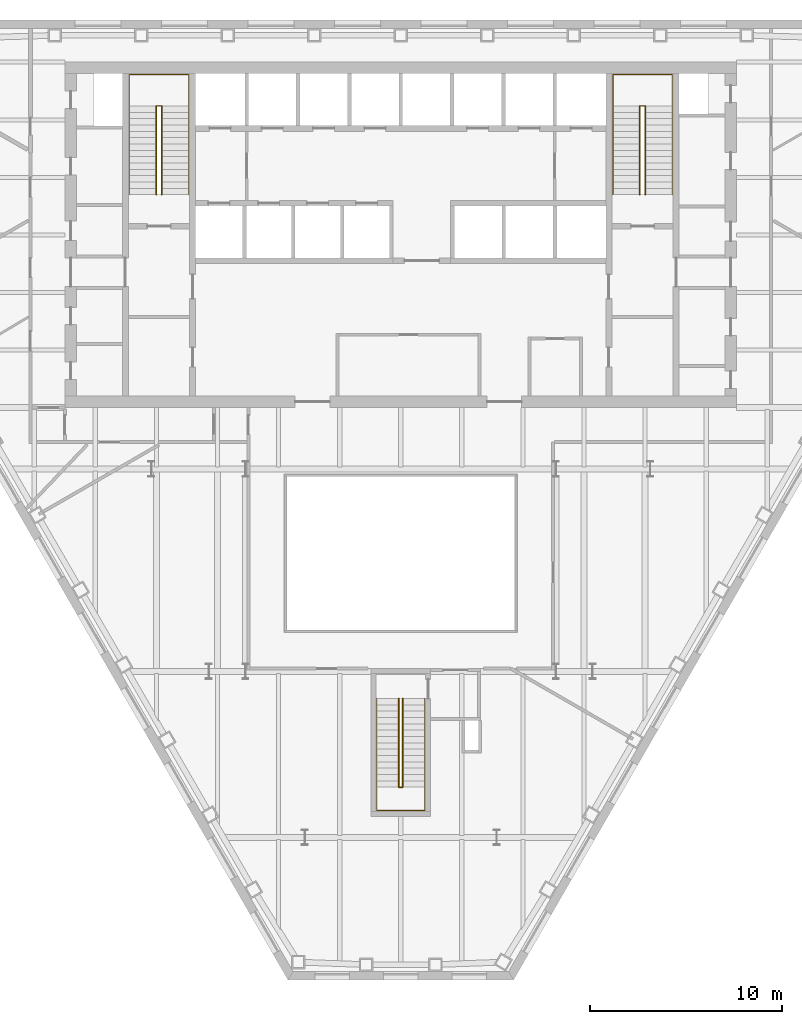
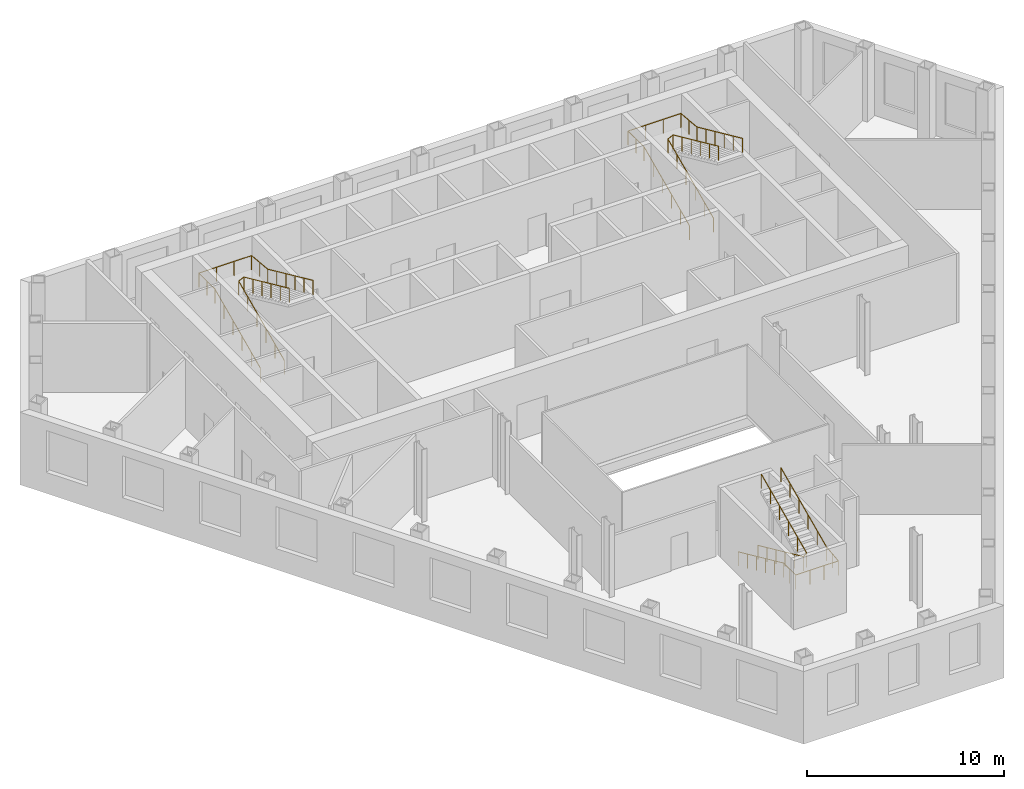
# One storey, part 11 of 11: 6 railings.
"""IFC4 building model written with IfcOpenShell, lengths in metres."""

from ifc_helpers import new_model, si_unit, direction, frame, origin, origin_2d, place, context, subcontext, project, spatial, circle, extrude, material, type_object, element, save


model = new_model("IFC4")

# Units and contexts
model_context = context("Model", 3, precision=1e-05, world=origin(), true_north=direction((0.0, 1.0)))
body_context = subcontext(model_context, "Body", "Model", "MODEL_VIEW")
ifc_project = project(units=[si_unit("LENGTHUNIT", "METRE"), si_unit("AREAUNIT", "SQUARE_METRE"), si_unit("VOLUMEUNIT", "CUBIC_METRE"), si_unit("PLANEANGLEUNIT", "RADIAN"), si_unit("MASSUNIT", "GRAM", prefix="KILO")], contexts=[model_context])

# Site, building, storey
site_placement = place(None, origin())
site = spatial("IfcSite", under=ifc_project, at=site_placement, CompositionType="ELEMENT")
building_placement = place(site_placement, origin())
building = spatial("IfcBuilding", under=site, at=building_placement, Name="Njiva Tower", CompositionType="ELEMENT")
storey_placement = place(building_placement, frame((0.0, 0.0, 37.8)))
storey = spatial("IfcBuildingStorey", under=building, at=storey_placement, Name="L07", CompositionType="ELEMENT", Elevation=37.8)

# Railings
ifc_material = material(Name="Stainless steel", Category="steel")
railing_type = type_object("IfcRailingType", Name="RL1 Stair handrail 900", PredefinedType="HANDRAIL", material=ifc_material)
railing_1_placement = place(storey_placement, frame((-14.15, 11.1, 0.15)))
element("IfcRailing", 1, at=railing_1_placement, inside=storey, type_object=railing_type, Name="Stair A handrail", PredefinedType="HANDRAIL", context=body_context, shape_type="SweptSolid", body=[
    extrude(circle(Radius=0.024, at=origin_2d()), frame((0.0, 0.0, 0.876), z_axis=(0.0, 0.910366477463, 0.413802944301), x_axis=(-1.0, 0.0, 0.0)), (0.0, 0.0, 1.0), 5.0749),
    extrude(circle(Radius=0.024, at=origin_2d()), frame((0.0, 4.62, 2.976), z_axis=(0.0, 1.0, 0.0), x_axis=(-1.0, 0.0, 0.0)), (0.0, 0.0, 1.0), 1.63),
    extrude(circle(Radius=0.024, at=origin_2d()), frame((0.0, 6.25, 2.976), z_axis=(1.0, 0.0, 0.0), x_axis=(0.0, 1.0, 0.0)), (0.0, 0.0, 1.0), 3.1),
    extrude(circle(Radius=0.024, at=origin_2d()), frame((3.1, 6.25, 2.976), z_axis=(0.0, -0.995792447047, 0.091637341753), x_axis=(1.0, 0.0, 0.0)), (0.0, 0.0, 1.0), 1.6369),
    extrude(circle(Radius=0.024, at=origin_2d()), frame((3.1, 4.62, 3.126), z_axis=(0.0, -0.910366477463, 0.413802944301), x_axis=(1.0, 0.0, 0.0)), (0.0, 0.0, 1.0), 5.0749),
    extrude(circle(Radius=0.021, at=origin_2d()), origin(), (0.0, 0.0, 1.0), 0.852),
    extrude(circle(Radius=0.021, at=origin_2d()), frame((0.0, 0.924, 0.42)), (0.0, 0.0, 1.0), 0.852),
    extrude(circle(Radius=0.021, at=origin_2d()), frame((0.0, 1.848, 0.84)), (0.0, 0.0, 1.0), 0.852),
    extrude(circle(Radius=0.021, at=origin_2d()), frame((0.0, 2.772, 1.26)), (0.0, 0.0, 1.0), 0.852),
    extrude(circle(Radius=0.021, at=origin_2d()), frame((0.0, 3.696, 1.68)), (0.0, 0.0, 1.0), 0.852),
    extrude(circle(Radius=0.021, at=origin_2d()), frame((0.0, 4.62, 2.1)), (0.0, 0.0, 1.0), 0.852),
    extrude(circle(Radius=0.021, at=origin_2d()), frame((0.0, 5.435, 2.1)), (0.0, 0.0, 1.0), 0.852),
    extrude(circle(Radius=0.021, at=origin_2d()), frame((0.0, 6.25, 2.1)), (0.0, 0.0, 1.0), 0.852),
    extrude(circle(Radius=0.021, at=origin_2d()), frame((1.0333, 6.25, 2.1)), (0.0, 0.0, 1.0), 0.852),
    extrude(circle(Radius=0.021, at=origin_2d()), frame((2.0667, 6.25, 2.1)), (0.0, 0.0, 1.0), 0.852),
    extrude(circle(Radius=0.021, at=origin_2d()), frame((3.1, 6.25, 2.1)), (0.0, 0.0, 1.0), 0.852),
    extrude(circle(Radius=0.021, at=origin_2d()), frame((3.1, 5.435, 2.175)), (0.0, 0.0, 1.0), 0.852),
    extrude(circle(Radius=0.021, at=origin_2d()), frame((3.1, 4.62, 2.25)), (0.0, 0.0, 1.0), 0.852),
    extrude(circle(Radius=0.021, at=origin_2d()), frame((3.1, 3.696, 2.67)), (0.0, 0.0, 1.0), 0.852),
    extrude(circle(Radius=0.021, at=origin_2d()), frame((3.1, 2.772, 3.09)), (0.0, 0.0, 1.0), 0.852),
    extrude(circle(Radius=0.021, at=origin_2d()), frame((3.1, 1.848, 3.51)), (0.0, 0.0, 1.0), 0.852),
    extrude(circle(Radius=0.021, at=origin_2d()), frame((3.1, 0.924, 3.93)), (0.0, 0.0, 1.0), 0.852),
    extrude(circle(Radius=0.021, at=origin_2d()), frame((3.1, 0.0, 4.35)), (0.0, 0.0, 1.0), 0.852),
])
railing_2_placement = place(storey_placement, frame((-12.75, 11.1, 0.15)))
element("IfcRailing", 2, at=railing_2_placement, inside=storey, type_object=railing_type, Name="Stair A handrail", PredefinedType="HANDRAIL", context=body_context, shape_type="SweptSolid", body=[
    extrude(circle(Radius=0.024, at=origin_2d()), frame((0.0, 0.0, 0.876), z_axis=(0.0, 0.910366477463, 0.413802944301), x_axis=(-1.0, 0.0, 0.0)), (0.0, 0.0, 1.0), 5.0749),
    extrude(circle(Radius=0.024, at=origin_2d()), frame((0.0, 4.62, 2.976), z_axis=(0.894427191, 0.0, 0.4472135955), x_axis=(0.0, 1.0, 0.0)), (0.0, 0.0, 1.0), 0.3354),
    extrude(circle(Radius=0.024, at=origin_2d()), frame((0.3, 4.62, 3.126), z_axis=(0.0, -0.910366477463, 0.413802944301), x_axis=(1.0, 0.0, 0.0)), (0.0, 0.0, 1.0), 5.0749),
    extrude(circle(Radius=0.021, at=origin_2d()), origin(), (0.0, 0.0, 1.0), 0.852),
    extrude(circle(Radius=0.021, at=origin_2d()), frame((0.0, 0.924, 0.42)), (0.0, 0.0, 1.0), 0.852),
    extrude(circle(Radius=0.021, at=origin_2d()), frame((0.0, 1.848, 0.84)), (0.0, 0.0, 1.0), 0.852),
    extrude(circle(Radius=0.021, at=origin_2d()), frame((0.0, 2.772, 1.26)), (0.0, 0.0, 1.0), 0.852),
    extrude(circle(Radius=0.021, at=origin_2d()), frame((0.0, 3.696, 1.68)), (0.0, 0.0, 1.0), 0.852),
    extrude(circle(Radius=0.021, at=origin_2d()), frame((0.0, 4.62, 2.1)), (0.0, 0.0, 1.0), 0.852),
    extrude(circle(Radius=0.021, at=origin_2d()), frame((0.3, 4.62, 2.25)), (0.0, 0.0, 1.0), 0.852),
    extrude(circle(Radius=0.021, at=origin_2d()), frame((0.3, 3.696, 2.67)), (0.0, 0.0, 1.0), 0.852),
    extrude(circle(Radius=0.021, at=origin_2d()), frame((0.3, 2.772, 3.09)), (0.0, 0.0, 1.0), 0.852),
    extrude(circle(Radius=0.021, at=origin_2d()), frame((0.3, 1.848, 3.51)), (0.0, 0.0, 1.0), 0.852),
    extrude(circle(Radius=0.021, at=origin_2d()), frame((0.3, 0.924, 3.93)), (0.0, 0.0, 1.0), 0.852),
    extrude(circle(Radius=0.021, at=origin_2d()), frame((0.3, 0.0, 4.35)), (0.0, 0.0, 1.0), 0.852),
])
railing_3_placement = place(storey_placement, frame((11.05, 11.1, 0.15)))
element("IfcRailing", 3, at=railing_3_placement, inside=storey, type_object=railing_type, Name="Stair B handrail", PredefinedType="HANDRAIL", context=body_context, shape_type="SweptSolid", body=[
    extrude(circle(Radius=0.024, at=origin_2d()), frame((0.0, 0.0, 0.876), z_axis=(0.0, 0.910366477463, 0.413802944301), x_axis=(-1.0, 0.0, 0.0)), (0.0, 0.0, 1.0), 5.0749),
    extrude(circle(Radius=0.024, at=origin_2d()), frame((0.0, 4.62, 2.976), z_axis=(0.0, 1.0, 0.0), x_axis=(-1.0, 0.0, 0.0)), (0.0, 0.0, 1.0), 1.63),
    extrude(circle(Radius=0.024, at=origin_2d()), frame((0.0, 6.25, 2.976), z_axis=(1.0, 0.0, 0.0), x_axis=(0.0, 1.0, 0.0)), (0.0, 0.0, 1.0), 3.1),
    extrude(circle(Radius=0.024, at=origin_2d()), frame((3.1, 6.25, 2.976), z_axis=(0.0, -0.995792447047, 0.091637341753), x_axis=(1.0, 0.0, 0.0)), (0.0, 0.0, 1.0), 1.6369),
    extrude(circle(Radius=0.024, at=origin_2d()), frame((3.1, 4.62, 3.126), z_axis=(0.0, -0.910366477463, 0.413802944301), x_axis=(1.0, 0.0, 0.0)), (0.0, 0.0, 1.0), 5.0749),
    extrude(circle(Radius=0.021, at=origin_2d()), origin(), (0.0, 0.0, 1.0), 0.852),
    extrude(circle(Radius=0.021, at=origin_2d()), frame((0.0, 0.924, 0.42)), (0.0, 0.0, 1.0), 0.852),
    extrude(circle(Radius=0.021, at=origin_2d()), frame((0.0, 1.848, 0.84)), (0.0, 0.0, 1.0), 0.852),
    extrude(circle(Radius=0.021, at=origin_2d()), frame((0.0, 2.772, 1.26)), (0.0, 0.0, 1.0), 0.852),
    extrude(circle(Radius=0.021, at=origin_2d()), frame((0.0, 3.696, 1.68)), (0.0, 0.0, 1.0), 0.852),
    extrude(circle(Radius=0.021, at=origin_2d()), frame((0.0, 4.62, 2.1)), (0.0, 0.0, 1.0), 0.852),
    extrude(circle(Radius=0.021, at=origin_2d()), frame((0.0, 5.435, 2.1)), (0.0, 0.0, 1.0), 0.852),
    extrude(circle(Radius=0.021, at=origin_2d()), frame((0.0, 6.25, 2.1)), (0.0, 0.0, 1.0), 0.852),
    extrude(circle(Radius=0.021, at=origin_2d()), frame((1.0333, 6.25, 2.1)), (0.0, 0.0, 1.0), 0.852),
    extrude(circle(Radius=0.021, at=origin_2d()), frame((2.0667, 6.25, 2.1)), (0.0, 0.0, 1.0), 0.852),
    extrude(circle(Radius=0.021, at=origin_2d()), frame((3.1, 6.25, 2.1)), (0.0, 0.0, 1.0), 0.852),
    extrude(circle(Radius=0.021, at=origin_2d()), frame((3.1, 5.435, 2.175)), (0.0, 0.0, 1.0), 0.852),
    extrude(circle(Radius=0.021, at=origin_2d()), frame((3.1, 4.62, 2.25)), (0.0, 0.0, 1.0), 0.852),
    extrude(circle(Radius=0.021, at=origin_2d()), frame((3.1, 3.696, 2.67)), (0.0, 0.0, 1.0), 0.852),
    extrude(circle(Radius=0.021, at=origin_2d()), frame((3.1, 2.772, 3.09)), (0.0, 0.0, 1.0), 0.852),
    extrude(circle(Radius=0.021, at=origin_2d()), frame((3.1, 1.848, 3.51)), (0.0, 0.0, 1.0), 0.852),
    extrude(circle(Radius=0.021, at=origin_2d()), frame((3.1, 0.924, 3.93)), (0.0, 0.0, 1.0), 0.852),
    extrude(circle(Radius=0.021, at=origin_2d()), frame((3.1, 0.0, 4.35)), (0.0, 0.0, 1.0), 0.852),
])
railing_4_placement = place(storey_placement, frame((12.45, 11.1, 0.15)))
element("IfcRailing", 4, at=railing_4_placement, inside=storey, type_object=railing_type, Name="Stair B handrail", PredefinedType="HANDRAIL", context=body_context, shape_type="SweptSolid", body=[
    extrude(circle(Radius=0.024, at=origin_2d()), frame((0.0, 0.0, 0.876), z_axis=(0.0, 0.910366477463, 0.413802944301), x_axis=(-1.0, 0.0, 0.0)), (0.0, 0.0, 1.0), 5.0749),
    extrude(circle(Radius=0.024, at=origin_2d()), frame((0.0, 4.62, 2.976), z_axis=(0.894427191, 0.0, 0.4472135955), x_axis=(0.0, 1.0, 0.0)), (0.0, 0.0, 1.0), 0.3354),
    extrude(circle(Radius=0.024, at=origin_2d()), frame((0.3, 4.62, 3.126), z_axis=(0.0, -0.910366477463, 0.413802944301), x_axis=(1.0, 0.0, 0.0)), (0.0, 0.0, 1.0), 5.0749),
    extrude(circle(Radius=0.021, at=origin_2d()), origin(), (0.0, 0.0, 1.0), 0.852),
    extrude(circle(Radius=0.021, at=origin_2d()), frame((0.0, 0.924, 0.42)), (0.0, 0.0, 1.0), 0.852),
    extrude(circle(Radius=0.021, at=origin_2d()), frame((0.0, 1.848, 0.84)), (0.0, 0.0, 1.0), 0.852),
    extrude(circle(Radius=0.021, at=origin_2d()), frame((0.0, 2.772, 1.26)), (0.0, 0.0, 1.0), 0.852),
    extrude(circle(Radius=0.021, at=origin_2d()), frame((0.0, 3.696, 1.68)), (0.0, 0.0, 1.0), 0.852),
    extrude(circle(Radius=0.021, at=origin_2d()), frame((0.0, 4.62, 2.1)), (0.0, 0.0, 1.0), 0.852),
    extrude(circle(Radius=0.021, at=origin_2d()), frame((0.3, 4.62, 2.25)), (0.0, 0.0, 1.0), 0.852),
    extrude(circle(Radius=0.021, at=origin_2d()), frame((0.3, 3.696, 2.67)), (0.0, 0.0, 1.0), 0.852),
    extrude(circle(Radius=0.021, at=origin_2d()), frame((0.3, 2.772, 3.09)), (0.0, 0.0, 1.0), 0.852),
    extrude(circle(Radius=0.021, at=origin_2d()), frame((0.3, 1.848, 3.51)), (0.0, 0.0, 1.0), 0.852),
    extrude(circle(Radius=0.021, at=origin_2d()), frame((0.3, 0.924, 3.93)), (0.0, 0.0, 1.0), 0.852),
    extrude(circle(Radius=0.021, at=origin_2d()), frame((0.3, 0.0, 4.35)), (0.0, 0.0, 1.0), 0.852),
])
railing_5_placement = place(storey_placement, frame((-1.25, -15.16, 0.15)))
element("IfcRailing", 5, at=railing_5_placement, inside=storey, type_object=railing_type, Name="Stair C handrail", PredefinedType="HANDRAIL", context=body_context, shape_type="SweptSolid", body=[
    extrude(circle(Radius=0.024, at=origin_2d()), frame((0.0, 0.0, 0.876), z_axis=(0.0, -0.910366477463, 0.413802944301), x_axis=(1.0, 0.0, 0.0)), (0.0, 0.0, 1.0), 5.0749),
    extrude(circle(Radius=0.024, at=origin_2d()), frame((0.0, -4.62, 2.976), z_axis=(0.0, -1.0, 0.0), x_axis=(1.0, 0.0, 0.0)), (0.0, 0.0, 1.0), 1.22),
    extrude(circle(Radius=0.024, at=origin_2d()), frame((0.0, -5.84, 2.976), z_axis=(1.0, 0.0, 0.0), x_axis=(0.0, 1.0, 0.0)), (0.0, 0.0, 1.0), 2.5),
    extrude(circle(Radius=0.024, at=origin_2d()), frame((2.5, -5.84, 2.976), z_axis=(0.0, 0.992526177815, 0.122031907108), x_axis=(-1.0, 0.0, 0.0)), (0.0, 0.0, 1.0), 1.2292),
    extrude(circle(Radius=0.024, at=origin_2d()), frame((2.5, -4.62, 3.126), z_axis=(0.0, 0.910366477463, 0.413802944301), x_axis=(-1.0, 0.0, 0.0)), (0.0, 0.0, 1.0), 5.0749),
    extrude(circle(Radius=0.021, at=origin_2d()), origin(), (0.0, 0.0, 1.0), 0.852),
    extrude(circle(Radius=0.021, at=origin_2d()), frame((0.0, -0.924, 0.42)), (0.0, 0.0, 1.0), 0.852),
    extrude(circle(Radius=0.021, at=origin_2d()), frame((0.0, -1.848, 0.84)), (0.0, 0.0, 1.0), 0.852),
    extrude(circle(Radius=0.021, at=origin_2d()), frame((0.0, -2.772, 1.26)), (0.0, 0.0, 1.0), 0.852),
    extrude(circle(Radius=0.021, at=origin_2d()), frame((0.0, -3.696, 1.68)), (0.0, 0.0, 1.0), 0.852),
    extrude(circle(Radius=0.021, at=origin_2d()), frame((0.0, -4.62, 2.1)), (0.0, 0.0, 1.0), 0.852),
    extrude(circle(Radius=0.021, at=origin_2d()), frame((0.0, -5.23, 2.1)), (0.0, 0.0, 1.0), 0.852),
    extrude(circle(Radius=0.021, at=origin_2d()), frame((0.0, -5.84, 2.1)), (0.0, 0.0, 1.0), 0.852),
    extrude(circle(Radius=0.021, at=origin_2d()), frame((0.8333, -5.84, 2.1)), (0.0, 0.0, 1.0), 0.852),
    extrude(circle(Radius=0.021, at=origin_2d()), frame((1.6667, -5.84, 2.1)), (0.0, 0.0, 1.0), 0.852),
    extrude(circle(Radius=0.021, at=origin_2d()), frame((2.5, -5.84, 2.1)), (0.0, 0.0, 1.0), 0.852),
    extrude(circle(Radius=0.021, at=origin_2d()), frame((2.5, -5.23, 2.175)), (0.0, 0.0, 1.0), 0.852),
    extrude(circle(Radius=0.021, at=origin_2d()), frame((2.5, -4.62, 2.25)), (0.0, 0.0, 1.0), 0.852),
    extrude(circle(Radius=0.021, at=origin_2d()), frame((2.5, -3.696, 2.67)), (0.0, 0.0, 1.0), 0.852),
    extrude(circle(Radius=0.021, at=origin_2d()), frame((2.5, -2.772, 3.09)), (0.0, 0.0, 1.0), 0.852),
    extrude(circle(Radius=0.021, at=origin_2d()), frame((2.5, -1.848, 3.51)), (0.0, 0.0, 1.0), 0.852),
    extrude(circle(Radius=0.021, at=origin_2d()), frame((2.5, -0.924, 3.93)), (0.0, 0.0, 1.0), 0.852),
    extrude(circle(Radius=0.021, at=origin_2d()), frame((2.5, 0.0, 4.35)), (0.0, 0.0, 1.0), 0.852),
])
railing_6_placement = place(storey_placement, frame((-0.1, -15.16, 0.15)))
element("IfcRailing", 6, at=railing_6_placement, inside=storey, type_object=railing_type, Name="Stair C handrail", PredefinedType="HANDRAIL", context=body_context, shape_type="SweptSolid", body=[
    extrude(circle(Radius=0.024, at=origin_2d()), frame((0.0, 0.0, 0.876), z_axis=(0.0, -0.910366477463, 0.413802944301), x_axis=(1.0, 0.0, 0.0)), (0.0, 0.0, 1.0), 5.0749),
    extrude(circle(Radius=0.024, at=origin_2d()), frame((0.0, -4.62, 2.976), z_axis=(0.8, 0.0, 0.6), x_axis=(0.0, 1.0, 0.0)), (0.0, 0.0, 1.0), 0.25),
    extrude(circle(Radius=0.024, at=origin_2d()), frame((0.2, -4.62, 3.126), z_axis=(0.0, 0.910366477463, 0.413802944301), x_axis=(-1.0, 0.0, 0.0)), (0.0, 0.0, 1.0), 5.0749),
    extrude(circle(Radius=0.021, at=origin_2d()), origin(), (0.0, 0.0, 1.0), 0.852),
    extrude(circle(Radius=0.021, at=origin_2d()), frame((0.0, -0.924, 0.42)), (0.0, 0.0, 1.0), 0.852),
    extrude(circle(Radius=0.021, at=origin_2d()), frame((0.0, -1.848, 0.84)), (0.0, 0.0, 1.0), 0.852),
    extrude(circle(Radius=0.021, at=origin_2d()), frame((0.0, -2.772, 1.26)), (0.0, 0.0, 1.0), 0.852),
    extrude(circle(Radius=0.021, at=origin_2d()), frame((0.0, -3.696, 1.68)), (0.0, 0.0, 1.0), 0.852),
    extrude(circle(Radius=0.021, at=origin_2d()), frame((0.0, -4.62, 2.1)), (0.0, 0.0, 1.0), 0.852),
    extrude(circle(Radius=0.021, at=origin_2d()), frame((0.2, -4.62, 2.25)), (0.0, 0.0, 1.0), 0.852),
    extrude(circle(Radius=0.021, at=origin_2d()), frame((0.2, -3.696, 2.67)), (0.0, 0.0, 1.0), 0.852),
    extrude(circle(Radius=0.021, at=origin_2d()), frame((0.2, -2.772, 3.09)), (0.0, 0.0, 1.0), 0.852),
    extrude(circle(Radius=0.021, at=origin_2d()), frame((0.2, -1.848, 3.51)), (0.0, 0.0, 1.0), 0.852),
    extrude(circle(Radius=0.021, at=origin_2d()), frame((0.2, -0.924, 3.93)), (0.0, 0.0, 1.0), 0.852),
    extrude(circle(Radius=0.021, at=origin_2d()), frame((0.2, 0.0, 4.35)), (0.0, 0.0, 1.0), 0.852),
])

save(model, "model.ifc")
